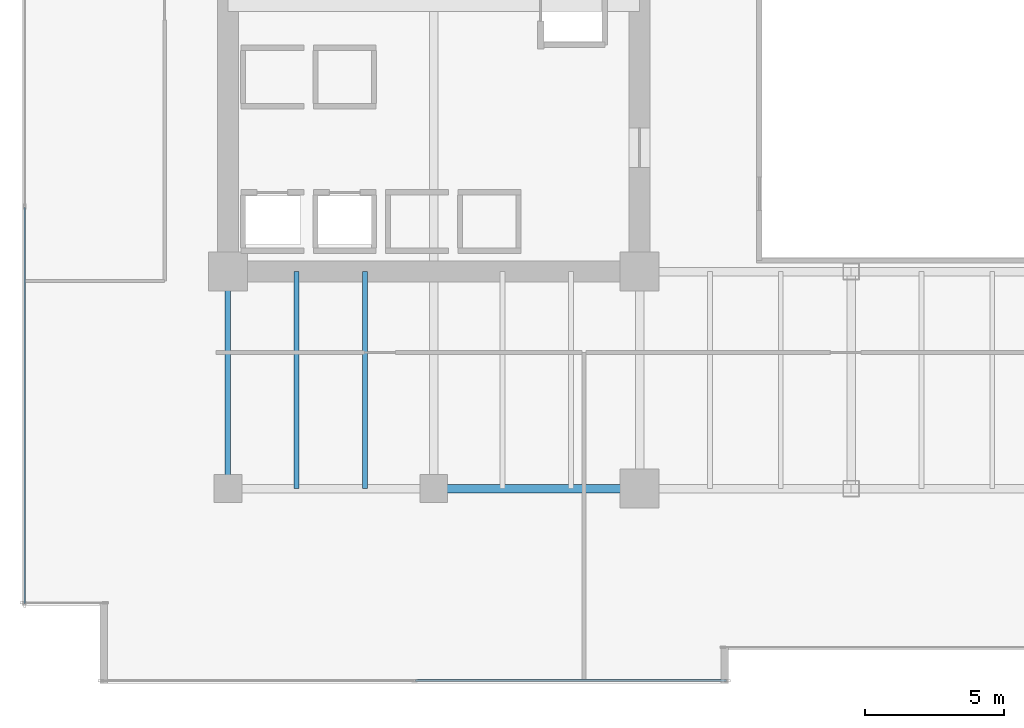
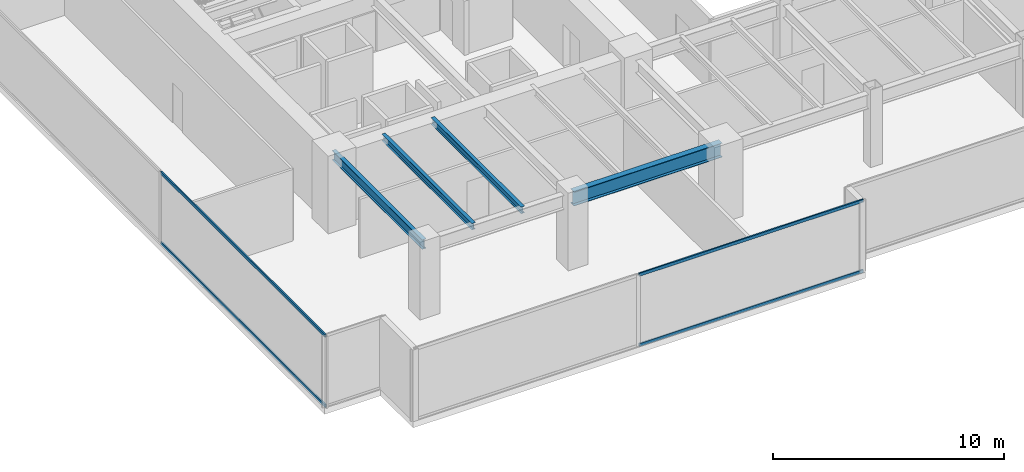
# One storey, part 3 of 35: 4 beams, 4 members, 2 elements without a shape of their own.
"""IFC4 building model written with IfcOpenShell, lengths in metres."""

from ifc_helpers import new_model, si_unit, direction, frame, origin, origin_2d, place, context, subcontext, project, spatial, hollow_rectangle, i_section, extrude, source, transform, mapped, material, layer, layer_set, material_profile, profile_set, type_object, type_shapes, element, aggregate, save


model = new_model("IFC4")

# Units and contexts
model_context = context("Model", 3, precision=1e-05, world=origin(), true_north=direction((0.0, 1.0)))
body_context = subcontext(model_context, "Body", "Model", "MODEL_VIEW")
ifc_project = project(units=[si_unit("LENGTHUNIT", "METRE"), si_unit("AREAUNIT", "SQUARE_METRE"), si_unit("VOLUMEUNIT", "CUBIC_METRE"), si_unit("PLANEANGLEUNIT", "RADIAN"), si_unit("MASSUNIT", "GRAM", prefix="KILO")], contexts=[model_context])

# Site, building, storey
site_placement = place(None, origin())
site = spatial("IfcSite", under=ifc_project, at=site_placement, CompositionType="ELEMENT")
building_placement = place(site_placement, origin())
building = spatial("IfcBuilding", under=site, at=building_placement, Name="Haelvirn Gate Laboratories", CompositionType="ELEMENT")
storey_placement = place(building_placement, frame((0.0, 0.0, 70.300048828125)))
storey = spatial("IfcBuildingStorey", under=building, at=storey_placement, Name="L17", CompositionType="ELEMENT", Elevation=70.300048828125)

# Beams
ifc_material_1 = material(Name="Steel SM355", Category="steel")
ifc_material_profile_1 = material_profile(ifc_material_1, i_section(OverallWidth=0.300048828125, OverallDepth=0.75, WebThickness=0.013916015625, FlangeThickness=0.02392578125, at=origin_2d()), Name="H-750x300x14x24")
ifc_profile_set_1 = profile_set([ifc_material_profile_1], Name="Steel SM355")
beam_type_1 = type_object("IfcBeamType", Name="BM-G-750", PredefinedType="BEAM", material=ifc_profile_set_1)
shared_shape_1 = source(origin(), body_context, "Body", "SweptSolid", [
    extrude(i_section(OverallWidth=0.300048828125, OverallDepth=0.75, WebThickness=0.013916015625, FlangeThickness=0.02392578125, at=origin_2d()), origin(), (0.0, 0.0, 1.0), 7.39990234375),
])
type_shapes(beam_type_1, [shared_shape_1])
beam_1_placement = place(storey_placement, frame((14.800048828125, 7.0, 3.405029296875), z_axis=(1.0, 0.0, 0.0), x_axis=(0.0, 1.0, 0.0)))
element("IfcBeam", 1, at=beam_1_placement, inside=storey, type_object=beam_type_1, Name="L17 Primary Girder Y7.0 (14.8-22.2)", PredefinedType="BEAM", context=body_context, shape_type="MappedRepresentation", body=[
    mapped(shared_shape_1, transform((0.0, 0.0, 0.0), scale=1.0)),
])
ifc_material_profile_2 = material_profile(ifc_material_1, i_section(OverallWidth=0.199951171875, OverallDepth=0.5, WebThickness=0.010009765625, FlangeThickness=0.01611328125, at=origin_2d()), Name="H-500x200x10x16")
ifc_profile_set_2 = profile_set([ifc_material_profile_2], Name="Steel SM355")
beam_type_2 = type_object("IfcBeamType", Name="BM-SP-500", PredefinedType="SPANDREL", material=ifc_profile_set_2)
shared_shape_2 = source(origin(), body_context, "Body", "SweptSolid", [
    extrude(i_section(OverallWidth=0.199951171875, OverallDepth=0.5, WebThickness=0.010009765625, FlangeThickness=0.01611328125, at=origin_2d()), origin(), (0.0, 0.0, 1.0), 7.800048828125),
])
type_shapes(beam_type_2, [shared_shape_2])
beam_2_placement = place(storey_placement, frame((7.39990234375, 7.0, 3.530029296875), z_axis=(0.0, 1.0, 0.0), x_axis=(-1.0, 0.0, 0.0)))
element("IfcBeam", 2, at=beam_2_placement, inside=storey, type_object=beam_type_2, Name="L17 Perimeter Spandrel X7.4 (7.0-14.8)", PredefinedType="SPANDREL", context=body_context, shape_type="MappedRepresentation", body=[
    mapped(shared_shape_2, transform((0.0, 0.0, 0.0), scale=1.0)),
])
ifc_material_profile_3 = material_profile(ifc_material_1, i_section(OverallWidth=0.175048828125, OverallDepth=0.35009765625, WebThickness=0.007080078125, FlangeThickness=0.010986328125, at=origin_2d()), Name="H-350x175x7x11")
ifc_profile_set_3 = profile_set([ifc_material_profile_3], Name="Steel SM355")
beam_type_3 = type_object("IfcBeamType", Name="BM-J-350", PredefinedType="JOIST", material=ifc_profile_set_3)
shared_shape_3 = source(origin(), body_context, "Body", "SweptSolid", [
    extrude(i_section(OverallWidth=0.175048828125, OverallDepth=0.35009765625, WebThickness=0.007080078125, FlangeThickness=0.010986328125, at=origin_2d()), origin(), (0.0, 0.0, 1.0), 7.800048828125),
])
type_shapes(beam_type_3, [shared_shape_3])
for number, where, z_axis, x_axis, name in (
    (3, (9.8701171875, 7.0, 3.60498046875), (0.0, 1.0, 0.0), (-1.0, 0.0, 0.0), "L17 Composite Lab Joist South X9.87"),
    (4, (12.330078125, 7.0, 3.60498046875), (0.0, 1.0, 0.0), (-1.0, 0.0, 0.0), "L17 Composite Lab Joist South X12.33"),
):
    element("IfcBeam", number, at=place(storey_placement, frame(where, z_axis=z_axis, x_axis=x_axis)), inside=storey, type_object=beam_type_3, Name=name, PredefinedType="JOIST", context=body_context, shape_type="MappedRepresentation", body=[
        mapped(shared_shape_3, transform((0.0, 0.0, 0.0), scale=1.0)),
    ])

# Curtain wall, members
ifc_material_2 = material(Name="Anodised bronze unitised aluminium & triple low-E glass", Category="aluminium")
ifc_layer = layer(ifc_material_2, 0.18408203125, Name="CW-SYS-2")
ifc_layer_set = layer_set([ifc_layer], Name="Anodised bronze unitised aluminium & triple low-E glass")
curtain_wall_type = type_object("IfcCurtainWallType", Name="CW-SYS-2", PredefinedType="NOTDEFINED", material=ifc_layer_set)
curtain_wall_1_placement = place(storey_placement, origin())
curtain_wall_1 = element("IfcCurtainWall", 5, at=curtain_wall_1_placement, inside=storey, type_object=curtain_wall_type, Name="L17 Unitised Curtain Wall CW-L17-P0-E00-1", PredefinedType="NOTDEFINED")
ifc_material_3 = material(Name="Extruded aluminium 6063-T6 (anodised bronze)", Category="aluminium")
ifc_material_profile_4 = material_profile(ifc_material_3, hollow_rectangle(XDim=0.070068359375, YDim=0.159912109375, WallThickness=0.0048828125, at=origin_2d()), Name="CWT-160x70x5")
ifc_profile_set_4 = profile_set([ifc_material_profile_4], Name="Extruded aluminium 6063-T6 (anodised bronze)")
member_type = type_object("IfcMemberType", Name="CWT-T160", PredefinedType="USERDEFINED", material=ifc_profile_set_4)
shared_shape_4 = source(origin(), body_context, "Body", "SweptSolid", [
    extrude(hollow_rectangle(XDim=0.070068359375, YDim=0.159912109375, WallThickness=0.0048828125, at=origin_2d()), origin(), (0.0, 0.0, 1.0), 11.1875),
])
member_1_placement = place(storey_placement, frame((14.137451171875, 0.10009765625, 0.034912109375), z_axis=(1.0, 0.0, 0.0), x_axis=(0.0, 1.0, 0.0)))
member_1 = element("IfcMember", 6, at=member_1_placement, type_object=member_type, Name="CW2 transom 2.1", ObjectType="TRANSOM", PredefinedType="USERDEFINED", context=body_context, shape_type="MappedRepresentation", body=[
    mapped(shared_shape_4, transform((0.0, 0.0, 0.0), scale=1.0)),
])
member_2_placement = place(storey_placement, frame((14.137451171875, 0.10009765625, 3.744873046875), z_axis=(1.0, 0.0, 0.0), x_axis=(0.0, 1.0, 0.0)))
member_2 = element("IfcMember", 7, at=member_2_placement, type_object=member_type, Name="CW2 transom 2.2", ObjectType="TRANSOM", PredefinedType="USERDEFINED", context=body_context, shape_type="MappedRepresentation", body=[
    mapped(shared_shape_4, transform((0.0, 0.0, 0.0), scale=1.0)),
])
aggregate(curtain_wall_1, [member_1, member_2])

curtain_wall_2_placement = place(storey_placement, origin())
curtain_wall_2 = element("IfcCurtainWall", 8, at=curtain_wall_2_placement, inside=storey, type_object=curtain_wall_type, Name="L17 Unitised Curtain Wall CW-L17-P0-E17", PredefinedType="NOTDEFINED")
shared_shape_5 = source(origin(), body_context, "Body", "SweptSolid", [
    extrude(hollow_rectangle(XDim=0.070068359375, YDim=0.159912109375, WallThickness=0.0048828125, at=origin_2d()), origin(), (0.0, 0.0, 1.0), 14.220947265625),
])
type_shapes(member_type, [shared_shape_4, shared_shape_5])
member_3_placement = place(storey_placement, frame((0.10009765625, 17.095947265625, 0.034912109375), z_axis=(0.0, -1.0, 0.0), x_axis=(1.0, 0.0, 0.0)))
member_3 = element("IfcMember", 9, at=member_3_placement, type_object=member_type, Name="CW2 transom 3.1", ObjectType="TRANSOM", PredefinedType="USERDEFINED", context=body_context, shape_type="MappedRepresentation", body=[
    mapped(shared_shape_5, transform((0.0, 0.0, 0.0), scale=1.0)),
])
member_4_placement = place(storey_placement, frame((0.10009765625, 17.095947265625, 3.744873046875), z_axis=(0.0, -1.0, 0.0), x_axis=(1.0, 0.0, 0.0)))
member_4 = element("IfcMember", 10, at=member_4_placement, type_object=member_type, Name="CW2 transom 3.2", ObjectType="TRANSOM", PredefinedType="USERDEFINED", context=body_context, shape_type="MappedRepresentation", body=[
    mapped(shared_shape_5, transform((0.0, 0.0, 0.0), scale=1.0)),
])
aggregate(curtain_wall_2, [member_3, member_4])

save(model, "model.ifc")
